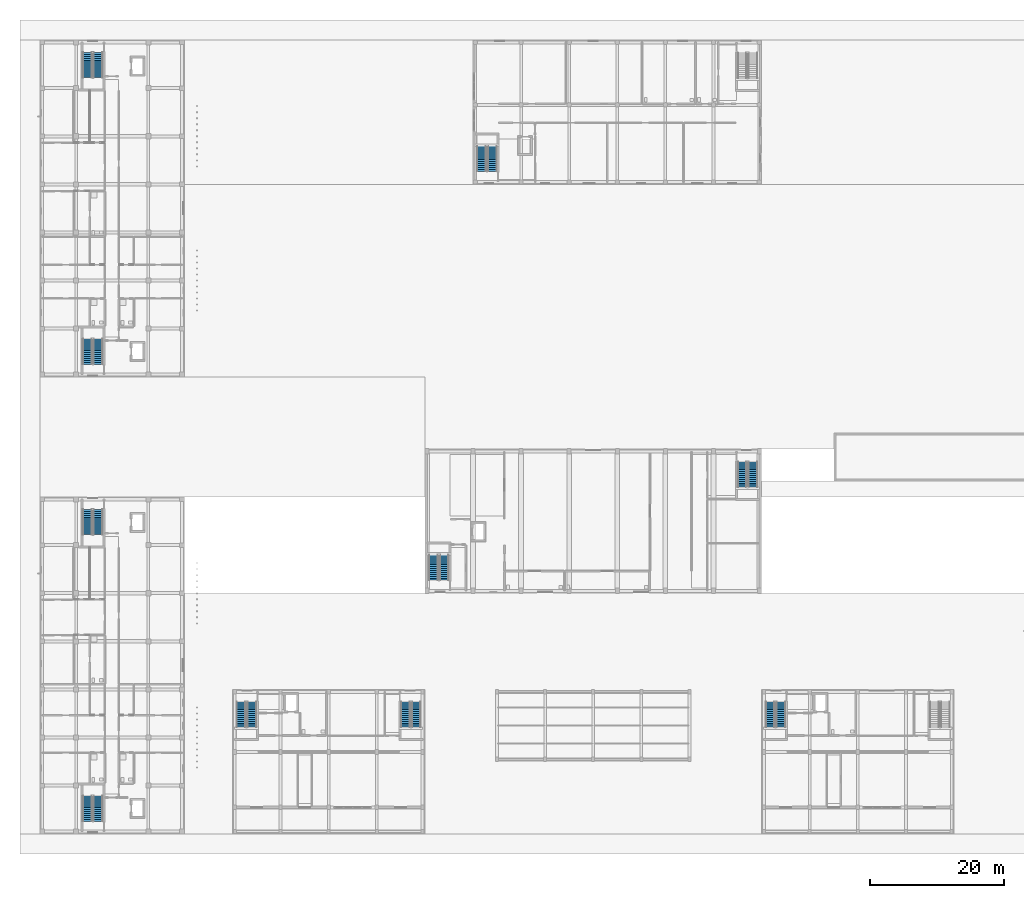
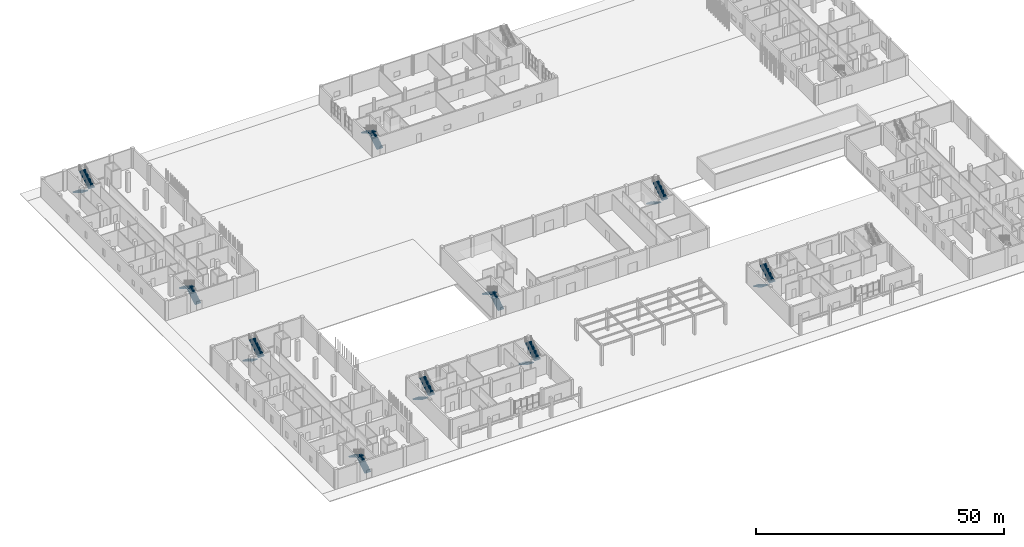
# One storey, part 56 of 85: 20 stair flights, 10 elements without a shape of their own.
"""IFC4 building model written with IfcOpenShell, lengths in metres."""

from ifc_helpers import new_model, si_unit, derived_unit, direction, frame, origin, place, context, subcontext, project, spatial, polyline, outline, extrude, material, type_object, element, aggregate, save


model = new_model("IFC4")

# Units and contexts
model_context = context("Model", 3, precision=1e-05, world=origin(), true_north=direction((0.0, 1.0)))
body_context = subcontext(model_context, "Body", "Model", "MODEL_VIEW")
ifc_project = project(units=[si_unit("LENGTHUNIT", "METRE"), si_unit("AREAUNIT", "SQUARE_METRE"), si_unit("VOLUMEUNIT", "CUBIC_METRE"), si_unit("PLANEANGLEUNIT", "RADIAN"), si_unit("MASSUNIT", "GRAM", prefix="KILO"), derived_unit("THERMALTRANSMITTANCEUNIT", [(si_unit("MASSUNIT", "GRAM", prefix="KILO"), 1), (si_unit("TIMEUNIT", "SECOND"), -3), (si_unit("THERMODYNAMICTEMPERATUREUNIT", "KELVIN"), -1)])], contexts=[model_context])

# Site, building, storey
site_placement = place(None, origin())
site = spatial("IfcSite", under=ifc_project, at=site_placement, CompositionType="ELEMENT")
building_placement = place(site_placement, origin())
building = spatial("IfcBuilding", under=site, at=building_placement, Name="Ochrekiln Boulevard Commons", CompositionType="ELEMENT")
storey_placement = place(building_placement, origin())
storey = spatial("IfcBuildingStorey", under=building, at=storey_placement, Name="L00", CompositionType="ELEMENT", Elevation=0.0)

# Stair, stair flights
ifc_material = material(Name="Concrete C35/45", Category="concrete")
stair_type = type_object("IfcStairType", Name="STR-DL-490", PredefinedType="TWO_STRAIGHT_RUN_STAIR", material=ifc_material)
stair_1_placement = place(storey_placement, origin())
stair_1 = element("IfcStair", 1, at=stair_1_placement, inside=storey, type_object=stair_type, Name="L00 Enclosed Exit Stair ST-A1", PredefinedType="TWO_STRAIGHT_RUN_STAIR")
stair_flight_type = type_object("IfcStairFlightType", Name="SFL-ST-490", PredefinedType="STRAIGHT", material=ifc_material)
stair_flight_1_placement = place(storey_placement, frame((8.699951171875, 70.27001953125, 0.0), z_axis=(0.0, 0.0, 1.0), x_axis=(0.0, 1.0, 0.0)))
stair_flight_1 = element("IfcStairFlight", 2, at=stair_flight_1_placement, type_object=stair_flight_type, Name="ST-A1 flight 1", NumberOfRisers=14, NumberOfTreads=13, PredefinedType="STRAIGHT", RiserHeight=0.175, TreadLength=0.29, context=body_context, shape_type="SweptSolid", body=[
    extrude(outline(polyline([(0.0, 0.0), (0.0, 0.175048828125), (0.2900390625, 0.175048828125), (0.2900390625, 0.35009765625), (0.580078125, 0.35009765625), (0.580078125, 0.52490234375), (0.8701171875, 0.52490234375), (0.8701171875, 0.699951171875), (1.159912109375, 0.699951171875), (1.159912109375, 0.875), (1.449951171875, 0.875), (1.449951171875, 1.050048828125), (1.739990234375, 1.050048828125), (1.739990234375, 1.22509765625), (2.030029296875, 1.22509765625), (2.030029296875, 1.39990234375), (2.320068359375, 1.39990234375), (2.320068359375, 1.574951171875), (2.610107421875, 1.574951171875), (2.610107421875, 1.75), (2.89990234375, 1.75), (2.89990234375, 1.925048828125), (3.18994140625, 1.925048828125), (3.18994140625, 2.10009765625), (3.47998046875, 2.10009765625), (3.47998046875, 2.27490234375), (3.77001953125, 2.27490234375), (3.77001953125, 2.449951171875), (3.77001953125, 2.088134765625), (0.3095703125, 0.0), (0.0, 0.0)])), frame((0.0, 0.699951171875, 0.0), z_axis=(0.0, -1.0, 0.0), x_axis=(1.0, 0.0, 0.0)), (0.0, 0.0, 1.0), 1.39990234375),
])
stair_flight_2_placement = place(storey_placement, frame((7.10009765625, 74.0400390625, 2.449951171875), z_axis=(0.0, 0.0, 1.0), x_axis=(0.0, -1.0, 0.0)))
stair_flight_2 = element("IfcStairFlight", 3, at=stair_flight_2_placement, type_object=stair_flight_type, Name="ST-A1 flight 2", NumberOfRisers=14, NumberOfTreads=13, PredefinedType="STRAIGHT", RiserHeight=0.175, TreadLength=0.29, context=body_context, shape_type="SweptSolid", body=[
    extrude(outline(polyline([(0.0, 0.0), (0.0, 0.175048828125), (0.2900390625, 0.175048828125), (0.2900390625, 0.35009765625), (0.580078125, 0.35009765625), (0.580078125, 0.52490234375), (0.8701171875, 0.52490234375), (0.8701171875, 0.699951171875), (1.159912109375, 0.699951171875), (1.159912109375, 0.875), (1.449951171875, 0.875), (1.449951171875, 1.050048828125), (1.739990234375, 1.050048828125), (1.739990234375, 1.22509765625), (2.030029296875, 1.22509765625), (2.030029296875, 1.39990234375), (2.320068359375, 1.39990234375), (2.320068359375, 1.574951171875), (2.610107421875, 1.574951171875), (2.610107421875, 1.75), (2.89990234375, 1.75), (2.89990234375, 1.925048828125), (3.18994140625, 1.925048828125), (3.18994140625, 2.10009765625), (3.47998046875, 2.10009765625), (3.47998046875, 2.27490234375), (3.77001953125, 2.27490234375), (3.77001953125, 2.449951171875), (3.77001953125, 2.088134765625), (0.3095703125, 0.0), (0.0, 0.0)])), frame((0.0, 0.699951171875, 0.0), z_axis=(0.0, -1.0, 0.0), x_axis=(1.0, 0.0, 0.0)), (0.0, 0.0, 1.0), 1.39990234375),
])
aggregate(stair_1, [stair_flight_1, stair_flight_2])

stair_2_placement = place(storey_placement, origin())
stair_2 = element("IfcStair", 4, at=stair_2_placement, inside=storey, type_object=stair_type, Name="L00 Enclosed Exit Stair ST-A2", PredefinedType="TWO_STRAIGHT_RUN_STAIR")
stair_flight_3_placement = place(storey_placement, frame((7.10009765625, 116.929931640625, 0.0), z_axis=(0.0, 0.0, 1.0), x_axis=(0.0, -1.0, 0.0)))
stair_flight_3 = element("IfcStairFlight", 5, at=stair_flight_3_placement, type_object=stair_flight_type, Name="ST-A2 flight 1", NumberOfRisers=14, NumberOfTreads=13, PredefinedType="STRAIGHT", RiserHeight=0.175, TreadLength=0.29, context=body_context, shape_type="SweptSolid", body=[
    extrude(outline(polyline([(0.0, 0.0), (0.0, 0.175048828125), (0.2900390625, 0.175048828125), (0.2900390625, 0.35009765625), (0.580078125, 0.35009765625), (0.580078125, 0.52490234375), (0.8701171875, 0.52490234375), (0.8701171875, 0.699951171875), (1.159912109375, 0.699951171875), (1.159912109375, 0.875), (1.449951171875, 0.875), (1.449951171875, 1.050048828125), (1.739990234375, 1.050048828125), (1.739990234375, 1.22509765625), (2.030029296875, 1.22509765625), (2.030029296875, 1.39990234375), (2.320068359375, 1.39990234375), (2.320068359375, 1.574951171875), (2.610107421875, 1.574951171875), (2.610107421875, 1.75), (2.89990234375, 1.75), (2.89990234375, 1.925048828125), (3.18994140625, 1.925048828125), (3.18994140625, 2.10009765625), (3.47998046875, 2.10009765625), (3.47998046875, 2.27490234375), (3.77001953125, 2.27490234375), (3.77001953125, 2.449951171875), (3.77001953125, 2.088134765625), (0.3095703125, 0.0), (0.0, 0.0)])), frame((0.0, 0.699951171875, 0.0), z_axis=(0.0, -1.0, 0.0), x_axis=(1.0, 0.0, 0.0)), (0.0, 0.0, 1.0), 1.39990234375),
])
stair_flight_4_placement = place(storey_placement, frame((8.699951171875, 113.159912109375, 2.449951171875), z_axis=(0.0, 0.0, 1.0), x_axis=(0.0, 1.0, 0.0)))
stair_flight_4 = element("IfcStairFlight", 6, at=stair_flight_4_placement, type_object=stair_flight_type, Name="ST-A2 flight 2", NumberOfRisers=14, NumberOfTreads=13, PredefinedType="STRAIGHT", RiserHeight=0.175, TreadLength=0.29, context=body_context, shape_type="SweptSolid", body=[
    extrude(outline(polyline([(0.0, 0.0), (0.0, 0.175048828125), (0.2900390625, 0.175048828125), (0.2900390625, 0.35009765625), (0.580078125, 0.35009765625), (0.580078125, 0.52490234375), (0.8701171875, 0.52490234375), (0.8701171875, 0.699951171875), (1.159912109375, 0.699951171875), (1.159912109375, 0.875), (1.449951171875, 0.875), (1.449951171875, 1.050048828125), (1.739990234375, 1.050048828125), (1.739990234375, 1.22509765625), (2.030029296875, 1.22509765625), (2.030029296875, 1.39990234375), (2.320068359375, 1.39990234375), (2.320068359375, 1.574951171875), (2.610107421875, 1.574951171875), (2.610107421875, 1.75), (2.89990234375, 1.75), (2.89990234375, 1.925048828125), (3.18994140625, 1.925048828125), (3.18994140625, 2.10009765625), (3.47998046875, 2.10009765625), (3.47998046875, 2.27490234375), (3.77001953125, 2.27490234375), (3.77001953125, 2.449951171875), (3.77001953125, 2.088134765625), (0.3095703125, 0.0), (0.0, 0.0)])), frame((0.0, 0.699951171875, 0.0), z_axis=(0.0, -1.0, 0.0), x_axis=(1.0, 0.0, 0.0)), (0.0, 0.0, 1.0), 1.39990234375),
])
aggregate(stair_2, [stair_flight_3, stair_flight_4])

stair_3_placement = place(storey_placement, origin())
stair_3 = element("IfcStair", 7, at=stair_3_placement, inside=storey, type_object=stair_type, Name="L00 Enclosed Exit Stair ST-D1", PredefinedType="TWO_STRAIGHT_RUN_STAIR")
stair_flight_5_placement = place(storey_placement, frame((8.699951171875, 1.8701171875, 0.0), z_axis=(0.0, 0.0, 1.0), x_axis=(0.0, 1.0, 0.0)))
stair_flight_5 = element("IfcStairFlight", 8, at=stair_flight_5_placement, type_object=stair_flight_type, Name="ST-D1 flight 1", NumberOfRisers=14, NumberOfTreads=13, PredefinedType="STRAIGHT", RiserHeight=0.175, TreadLength=0.29, context=body_context, shape_type="SweptSolid", body=[
    extrude(outline(polyline([(0.0, 0.0), (0.0, 0.175048828125), (0.2900390625, 0.175048828125), (0.2900390625, 0.35009765625), (0.580078125, 0.35009765625), (0.580078125, 0.52490234375), (0.8701171875, 0.52490234375), (0.8701171875, 0.699951171875), (1.159912109375, 0.699951171875), (1.159912109375, 0.875), (1.449951171875, 0.875), (1.449951171875, 1.050048828125), (1.739990234375, 1.050048828125), (1.739990234375, 1.22509765625), (2.030029296875, 1.22509765625), (2.030029296875, 1.39990234375), (2.320068359375, 1.39990234375), (2.320068359375, 1.574951171875), (2.610107421875, 1.574951171875), (2.610107421875, 1.75), (2.89990234375, 1.75), (2.89990234375, 1.925048828125), (3.18994140625, 1.925048828125), (3.18994140625, 2.10009765625), (3.47998046875, 2.10009765625), (3.47998046875, 2.27490234375), (3.77001953125, 2.27490234375), (3.77001953125, 2.449951171875), (3.77001953125, 2.088134765625), (0.3095703125, 0.0), (0.0, 0.0)])), frame((0.0, 0.699951171875, 0.0), z_axis=(0.0, -1.0, 0.0), x_axis=(1.0, 0.0, 0.0)), (0.0, 0.0, 1.0), 1.39990234375),
])
stair_flight_6_placement = place(storey_placement, frame((7.10009765625, 5.639892578125, 2.449951171875), z_axis=(0.0, 0.0, 1.0), x_axis=(0.0, -1.0, 0.0)))
stair_flight_6 = element("IfcStairFlight", 9, at=stair_flight_6_placement, type_object=stair_flight_type, Name="ST-D1 flight 2", NumberOfRisers=14, NumberOfTreads=13, PredefinedType="STRAIGHT", RiserHeight=0.175, TreadLength=0.29, context=body_context, shape_type="SweptSolid", body=[
    extrude(outline(polyline([(0.0, 0.0), (0.0, 0.175048828125), (0.2900390625, 0.175048828125), (0.2900390625, 0.35009765625), (0.580078125, 0.35009765625), (0.580078125, 0.52490234375), (0.8701171875, 0.52490234375), (0.8701171875, 0.699951171875), (1.159912109375, 0.699951171875), (1.159912109375, 0.875), (1.449951171875, 0.875), (1.449951171875, 1.050048828125), (1.739990234375, 1.050048828125), (1.739990234375, 1.22509765625), (2.030029296875, 1.22509765625), (2.030029296875, 1.39990234375), (2.320068359375, 1.39990234375), (2.320068359375, 1.574951171875), (2.610107421875, 1.574951171875), (2.610107421875, 1.75), (2.89990234375, 1.75), (2.89990234375, 1.925048828125), (3.18994140625, 1.925048828125), (3.18994140625, 2.10009765625), (3.47998046875, 2.10009765625), (3.47998046875, 2.27490234375), (3.77001953125, 2.27490234375), (3.77001953125, 2.449951171875), (3.77001953125, 2.088134765625), (0.3095703125, 0.0), (0.0, 0.0)])), frame((0.0, 0.699951171875, 0.0), z_axis=(0.0, -1.0, 0.0), x_axis=(1.0, 0.0, 0.0)), (0.0, 0.0, 1.0), 1.39990234375),
])
aggregate(stair_3, [stair_flight_5, stair_flight_6])

stair_4_placement = place(storey_placement, origin())
stair_4 = element("IfcStair", 10, at=stair_4_placement, inside=storey, type_object=stair_type, Name="L00 Enclosed Exit Stair ST-D2", PredefinedType="TWO_STRAIGHT_RUN_STAIR")
stair_flight_7_placement = place(storey_placement, frame((7.10009765625, 48.530029296875, 0.0), z_axis=(0.0, 0.0, 1.0), x_axis=(0.0, -1.0, 0.0)))
stair_flight_7 = element("IfcStairFlight", 11, at=stair_flight_7_placement, type_object=stair_flight_type, Name="ST-D2 flight 1", NumberOfRisers=14, NumberOfTreads=13, PredefinedType="STRAIGHT", RiserHeight=0.175, TreadLength=0.29, context=body_context, shape_type="SweptSolid", body=[
    extrude(outline(polyline([(0.0, 0.0), (0.0, 0.175048828125), (0.2900390625, 0.175048828125), (0.2900390625, 0.35009765625), (0.580078125, 0.35009765625), (0.580078125, 0.52490234375), (0.8701171875, 0.52490234375), (0.8701171875, 0.699951171875), (1.159912109375, 0.699951171875), (1.159912109375, 0.875), (1.449951171875, 0.875), (1.449951171875, 1.050048828125), (1.739990234375, 1.050048828125), (1.739990234375, 1.22509765625), (2.030029296875, 1.22509765625), (2.030029296875, 1.39990234375), (2.320068359375, 1.39990234375), (2.320068359375, 1.574951171875), (2.610107421875, 1.574951171875), (2.610107421875, 1.75), (2.89990234375, 1.75), (2.89990234375, 1.925048828125), (3.18994140625, 1.925048828125), (3.18994140625, 2.10009765625), (3.47998046875, 2.10009765625), (3.47998046875, 2.27490234375), (3.77001953125, 2.27490234375), (3.77001953125, 2.449951171875), (3.77001953125, 2.088134765625), (0.3095703125, 0.0), (0.0, 0.0)])), frame((0.0, 0.699951171875, 0.0), z_axis=(0.0, -1.0, 0.0), x_axis=(1.0, 0.0, 0.0)), (0.0, 0.0, 1.0), 1.39990234375),
])
stair_flight_8_placement = place(storey_placement, frame((8.699951171875, 44.760009765625, 2.449951171875), z_axis=(0.0, 0.0, 1.0), x_axis=(0.0, 1.0, 0.0)))
stair_flight_8 = element("IfcStairFlight", 12, at=stair_flight_8_placement, type_object=stair_flight_type, Name="ST-D2 flight 2", NumberOfRisers=14, NumberOfTreads=13, PredefinedType="STRAIGHT", RiserHeight=0.175, TreadLength=0.29, context=body_context, shape_type="SweptSolid", body=[
    extrude(outline(polyline([(0.0, 0.0), (0.0, 0.175048828125), (0.2900390625, 0.175048828125), (0.2900390625, 0.35009765625), (0.580078125, 0.35009765625), (0.580078125, 0.52490234375), (0.8701171875, 0.52490234375), (0.8701171875, 0.699951171875), (1.159912109375, 0.699951171875), (1.159912109375, 0.875), (1.449951171875, 0.875), (1.449951171875, 1.050048828125), (1.739990234375, 1.050048828125), (1.739990234375, 1.22509765625), (2.030029296875, 1.22509765625), (2.030029296875, 1.39990234375), (2.320068359375, 1.39990234375), (2.320068359375, 1.574951171875), (2.610107421875, 1.574951171875), (2.610107421875, 1.75), (2.89990234375, 1.75), (2.89990234375, 1.925048828125), (3.18994140625, 1.925048828125), (3.18994140625, 2.10009765625), (3.47998046875, 2.10009765625), (3.47998046875, 2.27490234375), (3.77001953125, 2.27490234375), (3.77001953125, 2.449951171875), (3.77001953125, 2.088134765625), (0.3095703125, 0.0), (0.0, 0.0)])), frame((0.0, 0.699951171875, 0.0), z_axis=(0.0, -1.0, 0.0), x_axis=(1.0, 0.0, 0.0)), (0.0, 0.0, 1.0), 1.39990234375),
])
aggregate(stair_4, [stair_flight_7, stair_flight_8])

stair_5_placement = place(storey_placement, origin())
stair_5 = element("IfcStair", 13, at=stair_5_placement, inside=storey, type_object=stair_type, Name="L00 Enclosed Exit Stair ST-H1", PredefinedType="TWO_STRAIGHT_RUN_STAIR")
stair_flight_9_placement = place(storey_placement, frame((60.5, 37.949951171875, 0.0), z_axis=(0.0, 0.0, 1.0), x_axis=(0.0, 1.0, 0.0)))
stair_flight_9 = element("IfcStairFlight", 14, at=stair_flight_9_placement, type_object=stair_flight_type, Name="ST-H1 flight 1", NumberOfRisers=14, NumberOfTreads=13, PredefinedType="STRAIGHT", RiserHeight=0.175, TreadLength=0.29, context=body_context, shape_type="SweptSolid", body=[
    extrude(outline(polyline([(0.0, 0.0), (0.0, 0.175048828125), (0.2900390625, 0.175048828125), (0.2900390625, 0.35009765625), (0.580078125, 0.35009765625), (0.580078125, 0.52490234375), (0.8701171875, 0.52490234375), (0.8701171875, 0.699951171875), (1.159912109375, 0.699951171875), (1.159912109375, 0.875), (1.449951171875, 0.875), (1.449951171875, 1.050048828125), (1.739990234375, 1.050048828125), (1.739990234375, 1.22509765625), (2.030029296875, 1.22509765625), (2.030029296875, 1.39990234375), (2.320068359375, 1.39990234375), (2.320068359375, 1.574951171875), (2.610107421875, 1.574951171875), (2.610107421875, 1.75), (2.89990234375, 1.75), (2.89990234375, 1.925048828125), (3.18994140625, 1.925048828125), (3.18994140625, 2.10009765625), (3.47998046875, 2.10009765625), (3.47998046875, 2.27490234375), (3.77001953125, 2.27490234375), (3.77001953125, 2.449951171875), (3.77001953125, 2.088134765625), (0.3095703125, 0.0), (0.0, 0.0)])), frame((0.0, 0.699951171875, 0.0), z_axis=(0.0, -1.0, 0.0), x_axis=(1.0, 0.0, 0.0)), (0.0, 0.0, 1.0), 1.39990234375),
])
stair_flight_10_placement = place(storey_placement, frame((58.89990234375, 41.719970703125, 2.449951171875), z_axis=(0.0, 0.0, 1.0), x_axis=(0.0, -1.0, 0.0)))
stair_flight_10 = element("IfcStairFlight", 15, at=stair_flight_10_placement, type_object=stair_flight_type, Name="ST-H1 flight 2", NumberOfRisers=14, NumberOfTreads=13, PredefinedType="STRAIGHT", RiserHeight=0.175, TreadLength=0.29, context=body_context, shape_type="SweptSolid", body=[
    extrude(outline(polyline([(0.0, 0.0), (0.0, 0.175048828125), (0.2900390625, 0.175048828125), (0.2900390625, 0.35009765625), (0.580078125, 0.35009765625), (0.580078125, 0.52490234375), (0.8701171875, 0.52490234375), (0.8701171875, 0.699951171875), (1.159912109375, 0.699951171875), (1.159912109375, 0.875), (1.449951171875, 0.875), (1.449951171875, 1.050048828125), (1.739990234375, 1.050048828125), (1.739990234375, 1.22509765625), (2.030029296875, 1.22509765625), (2.030029296875, 1.39990234375), (2.320068359375, 1.39990234375), (2.320068359375, 1.574951171875), (2.610107421875, 1.574951171875), (2.610107421875, 1.75), (2.89990234375, 1.75), (2.89990234375, 1.925048828125), (3.18994140625, 1.925048828125), (3.18994140625, 2.10009765625), (3.47998046875, 2.10009765625), (3.47998046875, 2.27490234375), (3.77001953125, 2.27490234375), (3.77001953125, 2.449951171875), (3.77001953125, 2.088134765625), (0.3095703125, 0.0), (0.0, 0.0)])), frame((0.0, 0.699951171875, 0.0), z_axis=(0.0, -1.0, 0.0), x_axis=(1.0, 0.0, 0.0)), (0.0, 0.0, 1.0), 1.39990234375),
])
aggregate(stair_5, [stair_flight_9, stair_flight_10])

stair_6_placement = place(storey_placement, origin())
stair_6 = element("IfcStair", 16, at=stair_6_placement, inside=storey, type_object=stair_type, Name="L00 Enclosed Exit Stair ST-H2", PredefinedType="TWO_STRAIGHT_RUN_STAIR")
stair_flight_11_placement = place(storey_placement, frame((105.10009765625, 55.64990234375, 0.0), z_axis=(0.0, 0.0, 1.0), x_axis=(0.0, -1.0, 0.0)))
stair_flight_11 = element("IfcStairFlight", 17, at=stair_flight_11_placement, type_object=stair_flight_type, Name="ST-H2 flight 1", NumberOfRisers=14, NumberOfTreads=13, PredefinedType="STRAIGHT", RiserHeight=0.175, TreadLength=0.29, context=body_context, shape_type="SweptSolid", body=[
    extrude(outline(polyline([(0.0, 0.0), (0.0, 0.175048828125), (0.2900390625, 0.175048828125), (0.2900390625, 0.35009765625), (0.580078125, 0.35009765625), (0.580078125, 0.52490234375), (0.8701171875, 0.52490234375), (0.8701171875, 0.699951171875), (1.159912109375, 0.699951171875), (1.159912109375, 0.875), (1.449951171875, 0.875), (1.449951171875, 1.050048828125), (1.739990234375, 1.050048828125), (1.739990234375, 1.22509765625), (2.030029296875, 1.22509765625), (2.030029296875, 1.39990234375), (2.320068359375, 1.39990234375), (2.320068359375, 1.574951171875), (2.610107421875, 1.574951171875), (2.610107421875, 1.75), (2.89990234375, 1.75), (2.89990234375, 1.925048828125), (3.18994140625, 1.925048828125), (3.18994140625, 2.10009765625), (3.47998046875, 2.10009765625), (3.47998046875, 2.27490234375), (3.77001953125, 2.27490234375), (3.77001953125, 2.449951171875), (3.77001953125, 2.088134765625), (0.3095703125, 0.0), (0.0, 0.0)])), frame((0.0, 0.699951171875, 0.0), z_axis=(0.0, -1.0, 0.0), x_axis=(1.0, 0.0, 0.0)), (0.0, 0.0, 1.0), 1.39990234375),
])
stair_flight_12_placement = place(storey_placement, frame((106.699951171875, 51.8798828125, 2.449951171875), z_axis=(0.0, 0.0, 1.0), x_axis=(0.0, 1.0, 0.0)))
stair_flight_12 = element("IfcStairFlight", 18, at=stair_flight_12_placement, type_object=stair_flight_type, Name="ST-H2 flight 2", NumberOfRisers=14, NumberOfTreads=13, PredefinedType="STRAIGHT", RiserHeight=0.175, TreadLength=0.29, context=body_context, shape_type="SweptSolid", body=[
    extrude(outline(polyline([(0.0, 0.0), (0.0, 0.175048828125), (0.2900390625, 0.175048828125), (0.2900390625, 0.35009765625), (0.580078125, 0.35009765625), (0.580078125, 0.52490234375), (0.8701171875, 0.52490234375), (0.8701171875, 0.699951171875), (1.159912109375, 0.699951171875), (1.159912109375, 0.875), (1.449951171875, 0.875), (1.449951171875, 1.050048828125), (1.739990234375, 1.050048828125), (1.739990234375, 1.22509765625), (2.030029296875, 1.22509765625), (2.030029296875, 1.39990234375), (2.320068359375, 1.39990234375), (2.320068359375, 1.574951171875), (2.610107421875, 1.574951171875), (2.610107421875, 1.75), (2.89990234375, 1.75), (2.89990234375, 1.925048828125), (3.18994140625, 1.925048828125), (3.18994140625, 2.10009765625), (3.47998046875, 2.10009765625), (3.47998046875, 2.27490234375), (3.77001953125, 2.27490234375), (3.77001953125, 2.449951171875), (3.77001953125, 2.088134765625), (0.3095703125, 0.0), (0.0, 0.0)])), frame((0.0, 0.699951171875, 0.0), z_axis=(0.0, -1.0, 0.0), x_axis=(1.0, 0.0, 0.0)), (0.0, 0.0, 1.0), 1.39990234375),
])
aggregate(stair_6, [stair_flight_11, stair_flight_12])

stair_7_placement = place(storey_placement, origin())
stair_7 = element("IfcStair", 19, at=stair_7_placement, inside=storey, type_object=stair_type, Name="L00 Enclosed Exit Stair ST-N1", PredefinedType="TWO_STRAIGHT_RUN_STAIR")
stair_flight_13_placement = place(storey_placement, frame((67.699951171875, 99.14990234375, 0.0), z_axis=(0.0, 0.0, 1.0), x_axis=(0.0, 1.0, 0.0)))
stair_flight_13 = element("IfcStairFlight", 20, at=stair_flight_13_placement, type_object=stair_flight_type, Name="ST-N1 flight 1", NumberOfRisers=14, NumberOfTreads=13, PredefinedType="STRAIGHT", RiserHeight=0.175, TreadLength=0.29, context=body_context, shape_type="SweptSolid", body=[
    extrude(outline(polyline([(0.0, 0.0), (0.0, 0.175048828125), (0.2900390625, 0.175048828125), (0.2900390625, 0.35009765625), (0.580078125, 0.35009765625), (0.580078125, 0.52490234375), (0.8701171875, 0.52490234375), (0.8701171875, 0.699951171875), (1.159912109375, 0.699951171875), (1.159912109375, 0.875), (1.449951171875, 0.875), (1.449951171875, 1.050048828125), (1.739990234375, 1.050048828125), (1.739990234375, 1.22509765625), (2.030029296875, 1.22509765625), (2.030029296875, 1.39990234375), (2.320068359375, 1.39990234375), (2.320068359375, 1.574951171875), (2.610107421875, 1.574951171875), (2.610107421875, 1.75), (2.89990234375, 1.75), (2.89990234375, 1.925048828125), (3.18994140625, 1.925048828125), (3.18994140625, 2.10009765625), (3.47998046875, 2.10009765625), (3.47998046875, 2.27490234375), (3.77001953125, 2.27490234375), (3.77001953125, 2.449951171875), (3.77001953125, 2.088134765625), (0.3095703125, 0.0), (0.0, 0.0)])), frame((0.0, 0.699951171875, 0.0), z_axis=(0.0, -1.0, 0.0), x_axis=(1.0, 0.0, 0.0)), (0.0, 0.0, 1.0), 1.39990234375),
])
stair_flight_14_placement = place(storey_placement, frame((66.10009765625, 102.919921875, 2.449951171875), z_axis=(0.0, 0.0, 1.0), x_axis=(0.0, -1.0, 0.0)))
stair_flight_14 = element("IfcStairFlight", 21, at=stair_flight_14_placement, type_object=stair_flight_type, Name="ST-N1 flight 2", NumberOfRisers=14, NumberOfTreads=13, PredefinedType="STRAIGHT", RiserHeight=0.175, TreadLength=0.29, context=body_context, shape_type="SweptSolid", body=[
    extrude(outline(polyline([(0.0, 0.0), (0.0, 0.175048828125), (0.2900390625, 0.175048828125), (0.2900390625, 0.35009765625), (0.580078125, 0.35009765625), (0.580078125, 0.52490234375), (0.8701171875, 0.52490234375), (0.8701171875, 0.699951171875), (1.159912109375, 0.699951171875), (1.159912109375, 0.875), (1.449951171875, 0.875), (1.449951171875, 1.050048828125), (1.739990234375, 1.050048828125), (1.739990234375, 1.22509765625), (2.030029296875, 1.22509765625), (2.030029296875, 1.39990234375), (2.320068359375, 1.39990234375), (2.320068359375, 1.574951171875), (2.610107421875, 1.574951171875), (2.610107421875, 1.75), (2.89990234375, 1.75), (2.89990234375, 1.925048828125), (3.18994140625, 1.925048828125), (3.18994140625, 2.10009765625), (3.47998046875, 2.10009765625), (3.47998046875, 2.27490234375), (3.77001953125, 2.27490234375), (3.77001953125, 2.449951171875), (3.77001953125, 2.088134765625), (0.3095703125, 0.0), (0.0, 0.0)])), frame((0.0, 0.699951171875, 0.0), z_axis=(0.0, -1.0, 0.0), x_axis=(1.0, 0.0, 0.0)), (0.0, 0.0, 1.0), 1.39990234375),
])
aggregate(stair_7, [stair_flight_13, stair_flight_14])

stair_8_placement = place(storey_placement, origin())
stair_8 = element("IfcStair", 22, at=stair_8_placement, inside=storey, type_object=stair_type, Name="L00 Enclosed Exit Stair ST-W1", PredefinedType="TWO_STRAIGHT_RUN_STAIR")
stair_flight_15_placement = place(storey_placement, frame((30.10009765625, 19.72998046875, 0.0), z_axis=(0.0, 0.0, 1.0), x_axis=(0.0, -1.0, 0.0)))
stair_flight_15 = element("IfcStairFlight", 23, at=stair_flight_15_placement, type_object=stair_flight_type, Name="ST-W1 flight 1", NumberOfRisers=14, NumberOfTreads=13, PredefinedType="STRAIGHT", RiserHeight=0.175, TreadLength=0.29, context=body_context, shape_type="SweptSolid", body=[
    extrude(outline(polyline([(0.0, 0.0), (0.0, 0.175048828125), (0.2900390625, 0.175048828125), (0.2900390625, 0.35009765625), (0.580078125, 0.35009765625), (0.580078125, 0.52490234375), (0.8701171875, 0.52490234375), (0.8701171875, 0.699951171875), (1.159912109375, 0.699951171875), (1.159912109375, 0.875), (1.449951171875, 0.875), (1.449951171875, 1.050048828125), (1.739990234375, 1.050048828125), (1.739990234375, 1.22509765625), (2.030029296875, 1.22509765625), (2.030029296875, 1.39990234375), (2.320068359375, 1.39990234375), (2.320068359375, 1.574951171875), (2.610107421875, 1.574951171875), (2.610107421875, 1.75), (2.89990234375, 1.75), (2.89990234375, 1.925048828125), (3.18994140625, 1.925048828125), (3.18994140625, 2.10009765625), (3.47998046875, 2.10009765625), (3.47998046875, 2.27490234375), (3.77001953125, 2.27490234375), (3.77001953125, 2.449951171875), (3.77001953125, 2.088134765625), (0.3095703125, 0.0), (0.0, 0.0)])), frame((0.0, 0.699951171875, 0.0), z_axis=(0.0, -1.0, 0.0), x_axis=(1.0, 0.0, 0.0)), (0.0, 0.0, 1.0), 1.39990234375),
])
stair_flight_16_placement = place(storey_placement, frame((31.699951171875, 15.9599609375, 2.449951171875), z_axis=(0.0, 0.0, 1.0), x_axis=(0.0, 1.0, 0.0)))
stair_flight_16 = element("IfcStairFlight", 24, at=stair_flight_16_placement, type_object=stair_flight_type, Name="ST-W1 flight 2", NumberOfRisers=14, NumberOfTreads=13, PredefinedType="STRAIGHT", RiserHeight=0.175, TreadLength=0.29, context=body_context, shape_type="SweptSolid", body=[
    extrude(outline(polyline([(0.0, 0.0), (0.0, 0.175048828125), (0.2900390625, 0.175048828125), (0.2900390625, 0.35009765625), (0.580078125, 0.35009765625), (0.580078125, 0.52490234375), (0.8701171875, 0.52490234375), (0.8701171875, 0.699951171875), (1.159912109375, 0.699951171875), (1.159912109375, 0.875), (1.449951171875, 0.875), (1.449951171875, 1.050048828125), (1.739990234375, 1.050048828125), (1.739990234375, 1.22509765625), (2.030029296875, 1.22509765625), (2.030029296875, 1.39990234375), (2.320068359375, 1.39990234375), (2.320068359375, 1.574951171875), (2.610107421875, 1.574951171875), (2.610107421875, 1.75), (2.89990234375, 1.75), (2.89990234375, 1.925048828125), (3.18994140625, 1.925048828125), (3.18994140625, 2.10009765625), (3.47998046875, 2.10009765625), (3.47998046875, 2.27490234375), (3.77001953125, 2.27490234375), (3.77001953125, 2.449951171875), (3.77001953125, 2.088134765625), (0.3095703125, 0.0), (0.0, 0.0)])), frame((0.0, 0.699951171875, 0.0), z_axis=(0.0, -1.0, 0.0), x_axis=(1.0, 0.0, 0.0)), (0.0, 0.0, 1.0), 1.39990234375),
])
aggregate(stair_8, [stair_flight_15, stair_flight_16])

stair_9_placement = place(storey_placement, origin())
stair_9 = element("IfcStair", 25, at=stair_9_placement, inside=storey, type_object=stair_type, Name="L00 Enclosed Exit Stair ST-W2", PredefinedType="TWO_STRAIGHT_RUN_STAIR")
stair_flight_17_placement = place(storey_placement, frame((54.699951171875, 19.72998046875, 0.0), z_axis=(0.0, 0.0, 1.0), x_axis=(0.0, -1.0, 0.0)))
stair_flight_17 = element("IfcStairFlight", 26, at=stair_flight_17_placement, type_object=stair_flight_type, Name="ST-W2 flight 1", NumberOfRisers=14, NumberOfTreads=13, PredefinedType="STRAIGHT", RiserHeight=0.175, TreadLength=0.29, context=body_context, shape_type="SweptSolid", body=[
    extrude(outline(polyline([(0.0, 0.0), (0.0, 0.175048828125), (0.2900390625, 0.175048828125), (0.2900390625, 0.35009765625), (0.580078125, 0.35009765625), (0.580078125, 0.52490234375), (0.8701171875, 0.52490234375), (0.8701171875, 0.699951171875), (1.159912109375, 0.699951171875), (1.159912109375, 0.875), (1.449951171875, 0.875), (1.449951171875, 1.050048828125), (1.739990234375, 1.050048828125), (1.739990234375, 1.22509765625), (2.030029296875, 1.22509765625), (2.030029296875, 1.39990234375), (2.320068359375, 1.39990234375), (2.320068359375, 1.574951171875), (2.610107421875, 1.574951171875), (2.610107421875, 1.75), (2.89990234375, 1.75), (2.89990234375, 1.925048828125), (3.18994140625, 1.925048828125), (3.18994140625, 2.10009765625), (3.47998046875, 2.10009765625), (3.47998046875, 2.27490234375), (3.77001953125, 2.27490234375), (3.77001953125, 2.449951171875), (3.77001953125, 2.088134765625), (0.3095703125, 0.0), (0.0, 0.0)])), frame((0.0, 0.699951171875, 0.0), z_axis=(0.0, -1.0, 0.0), x_axis=(1.0, 0.0, 0.0)), (0.0, 0.0, 1.0), 1.39990234375),
])
stair_flight_18_placement = place(storey_placement, frame((56.300048828125, 15.9599609375, 2.449951171875), z_axis=(0.0, 0.0, 1.0), x_axis=(0.0, 1.0, 0.0)))
stair_flight_18 = element("IfcStairFlight", 27, at=stair_flight_18_placement, type_object=stair_flight_type, Name="ST-W2 flight 2", NumberOfRisers=14, NumberOfTreads=13, PredefinedType="STRAIGHT", RiserHeight=0.175, TreadLength=0.29, context=body_context, shape_type="SweptSolid", body=[
    extrude(outline(polyline([(0.0, 0.0), (0.0, 0.175048828125), (0.2900390625, 0.175048828125), (0.2900390625, 0.35009765625), (0.580078125, 0.35009765625), (0.580078125, 0.52490234375), (0.8701171875, 0.52490234375), (0.8701171875, 0.699951171875), (1.159912109375, 0.699951171875), (1.159912109375, 0.875), (1.449951171875, 0.875), (1.449951171875, 1.050048828125), (1.739990234375, 1.050048828125), (1.739990234375, 1.22509765625), (2.030029296875, 1.22509765625), (2.030029296875, 1.39990234375), (2.320068359375, 1.39990234375), (2.320068359375, 1.574951171875), (2.610107421875, 1.574951171875), (2.610107421875, 1.75), (2.89990234375, 1.75), (2.89990234375, 1.925048828125), (3.18994140625, 1.925048828125), (3.18994140625, 2.10009765625), (3.47998046875, 2.10009765625), (3.47998046875, 2.27490234375), (3.77001953125, 2.27490234375), (3.77001953125, 2.449951171875), (3.77001953125, 2.088134765625), (0.3095703125, 0.0), (0.0, 0.0)])), frame((0.0, 0.699951171875, 0.0), z_axis=(0.0, -1.0, 0.0), x_axis=(1.0, 0.0, 0.0)), (0.0, 0.0, 1.0), 1.39990234375),
])
aggregate(stair_9, [stair_flight_17, stair_flight_18])

stair_10_placement = place(storey_placement, origin())
stair_10 = element("IfcStair", 28, at=stair_10_placement, inside=storey, type_object=stair_type, Name="L00 Enclosed Exit Stair ST-E1", PredefinedType="TWO_STRAIGHT_RUN_STAIR")
stair_flight_19_placement = place(storey_placement, frame((109.300048828125, 19.72998046875, 0.0), z_axis=(0.0, 0.0, 1.0), x_axis=(0.0, -1.0, 0.0)))
stair_flight_19 = element("IfcStairFlight", 29, at=stair_flight_19_placement, type_object=stair_flight_type, Name="ST-E1 flight 1", NumberOfRisers=14, NumberOfTreads=13, PredefinedType="STRAIGHT", RiserHeight=0.175, TreadLength=0.29, context=body_context, shape_type="SweptSolid", body=[
    extrude(outline(polyline([(0.0, 0.0), (0.0, 0.175048828125), (0.2900390625, 0.175048828125), (0.2900390625, 0.35009765625), (0.580078125, 0.35009765625), (0.580078125, 0.52490234375), (0.8701171875, 0.52490234375), (0.8701171875, 0.699951171875), (1.159912109375, 0.699951171875), (1.159912109375, 0.875), (1.449951171875, 0.875), (1.449951171875, 1.050048828125), (1.739990234375, 1.050048828125), (1.739990234375, 1.22509765625), (2.030029296875, 1.22509765625), (2.030029296875, 1.39990234375), (2.320068359375, 1.39990234375), (2.320068359375, 1.574951171875), (2.610107421875, 1.574951171875), (2.610107421875, 1.75), (2.89990234375, 1.75), (2.89990234375, 1.925048828125), (3.18994140625, 1.925048828125), (3.18994140625, 2.10009765625), (3.47998046875, 2.10009765625), (3.47998046875, 2.27490234375), (3.77001953125, 2.27490234375), (3.77001953125, 2.449951171875), (3.77001953125, 2.088134765625), (0.3095703125, 0.0), (0.0, 0.0)])), frame((0.0, 0.699951171875, 0.0), z_axis=(0.0, -1.0, 0.0), x_axis=(1.0, 0.0, 0.0)), (0.0, 0.0, 1.0), 1.39990234375),
])
stair_flight_20_placement = place(storey_placement, frame((110.89990234375, 15.9599609375, 2.449951171875), z_axis=(0.0, 0.0, 1.0), x_axis=(0.0, 1.0, 0.0)))
stair_flight_20 = element("IfcStairFlight", 30, at=stair_flight_20_placement, type_object=stair_flight_type, Name="ST-E1 flight 2", NumberOfRisers=14, NumberOfTreads=13, PredefinedType="STRAIGHT", RiserHeight=0.175, TreadLength=0.29, context=body_context, shape_type="SweptSolid", body=[
    extrude(outline(polyline([(0.0, 0.0), (0.0, 0.175048828125), (0.2900390625, 0.175048828125), (0.2900390625, 0.35009765625), (0.580078125, 0.35009765625), (0.580078125, 0.52490234375), (0.8701171875, 0.52490234375), (0.8701171875, 0.699951171875), (1.159912109375, 0.699951171875), (1.159912109375, 0.875), (1.449951171875, 0.875), (1.449951171875, 1.050048828125), (1.739990234375, 1.050048828125), (1.739990234375, 1.22509765625), (2.030029296875, 1.22509765625), (2.030029296875, 1.39990234375), (2.320068359375, 1.39990234375), (2.320068359375, 1.574951171875), (2.610107421875, 1.574951171875), (2.610107421875, 1.75), (2.89990234375, 1.75), (2.89990234375, 1.925048828125), (3.18994140625, 1.925048828125), (3.18994140625, 2.10009765625), (3.47998046875, 2.10009765625), (3.47998046875, 2.27490234375), (3.77001953125, 2.27490234375), (3.77001953125, 2.449951171875), (3.77001953125, 2.088134765625), (0.3095703125, 0.0), (0.0, 0.0)])), frame((0.0, 0.699951171875, 0.0), z_axis=(0.0, -1.0, 0.0), x_axis=(1.0, 0.0, 0.0)), (0.0, 0.0, 1.0), 1.39990234375),
])
aggregate(stair_10, [stair_flight_19, stair_flight_20])

save(model, "model.ifc")
